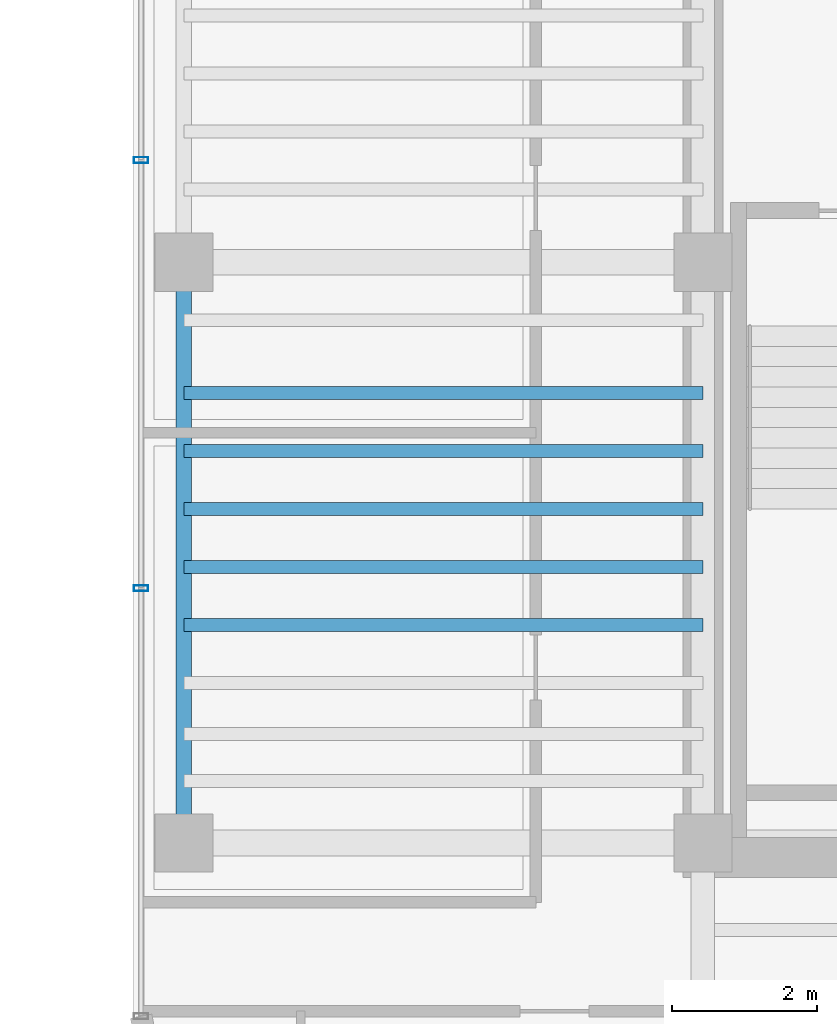
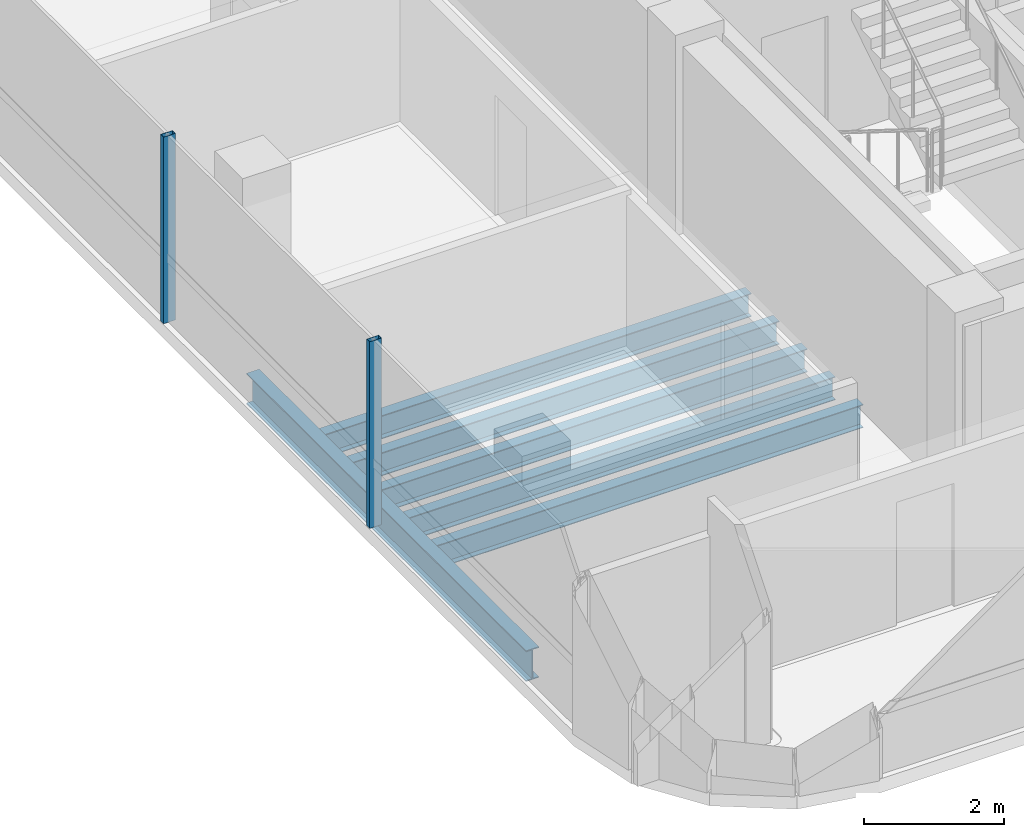
# One storey, part 4 of 21: 6 beams, 2 members, 1 element without a shape of its own.
"""IFC4 building model written with IfcOpenShell, lengths in metres."""

from ifc_helpers import new_model, si_unit, direction, frame, origin, origin_2d, place, context, subcontext, project, spatial, hollow_rectangle, i_section, extrude, source, transform, mapped, material, material_profile, profile_set, type_object, element, aggregate, save


model = new_model("IFC4")

# Units and contexts
model_context = context("Model", 3, precision=1e-05, world=origin(), true_north=direction((0.0, 1.0)))
body_context = subcontext(model_context, "Body", "Model", "MODEL_VIEW")
ifc_project = project(units=[si_unit("LENGTHUNIT", "METRE"), si_unit("AREAUNIT", "SQUARE_METRE"), si_unit("VOLUMEUNIT", "CUBIC_METRE"), si_unit("PLANEANGLEUNIT", "RADIAN"), si_unit("MASSUNIT", "GRAM", prefix="KILO")], contexts=[model_context])

# Site, building, storey
site_placement = place(None, origin())
site = spatial("IfcSite", under=ifc_project, at=site_placement, CompositionType="ELEMENT")
building_placement = place(site_placement, origin())
building = spatial("IfcBuilding", under=site, at=building_placement, Name="Valdorenza Pilgrim Sanctuary Tower", CompositionType="ELEMENT")
storey_placement = place(building_placement, frame((0.0, 0.0, 258.0)))
storey = spatial("IfcBuildingStorey", under=building, at=storey_placement, Name="L67", CompositionType="ELEMENT", Elevation=258.0)

# Beams
ifc_material_1 = material(Name="Steel ASTM A992 Grade 50", Category="steel")
ifc_material_profile_1 = material_profile(ifc_material_1, i_section(OverallWidth=0.2109375, OverallDepth=0.5390625, WebThickness=0.01171875, FlangeThickness=0.018798828125, at=origin_2d()), Name="W21X73")
ifc_profile_set_1 = profile_set([ifc_material_profile_1], Name="Steel ASTM A992 Grade 50")
beam_type_1 = type_object("IfcBeamType", Name="STR-BM-SPN-W21B", PredefinedType="SPANDREL", material=ifc_profile_set_1)
shared_shape_1 = source(origin(), body_context, "Body", "SweptSolid", [
    extrude(i_section(OverallWidth=0.2109375, OverallDepth=0.5390625, WebThickness=0.01171875, FlangeThickness=0.018798828125, at=origin_2d()), origin(), (0.0, 0.0, 1.0), 8.0),
])
beam_placement = place(storey_placement, frame((-29.800048828125, -10.60009765625, -0.509521484375), z_axis=(0.0, 1.0, 0.0), x_axis=(-1.0, 0.0, 0.0)))
element("IfcBeam", 1, at=beam_placement, inside=storey, type_object=beam_type_1, Name="L67 Spandrel Beam WA-W-S1M0", PredefinedType="SPANDREL", context=body_context, shape_type="MappedRepresentation", body=[
    mapped(shared_shape_1, transform((0.0, 0.0, 0.0), x_axis=(1.0, 0.0, 0.0), y_axis=(0.0, 1.0, 0.0), z_axis=(0.0, 0.0, 1.0), scale=1.0)),
])
ifc_material_profile_2 = material_profile(ifc_material_1, i_section(OverallWidth=0.177978515625, OverallDepth=0.406005859375, WebThickness=0.0078125, FlangeThickness=0.0126953125, at=origin_2d()), Name="W16X40")
ifc_profile_set_2 = profile_set([ifc_material_profile_2], Name="Steel ASTM A992 Grade 50")
beam_type_2 = type_object("IfcBeamType", Name="STR-BM-JST-W16", PredefinedType="JOIST", material=ifc_profile_set_2)
shared_shape_2 = source(origin(), body_context, "Body", "SweptSolid", [
    extrude(i_section(OverallWidth=0.177978515625, OverallDepth=0.406005859375, WebThickness=0.0078125, FlangeThickness=0.0126953125, at=origin_2d()), origin(), (0.0, 0.0, 1.0), 7.150146484375),
])
for number, where, z_axis, x_axis, name in (
    (2, (-29.800048828125, -7.60009765625, -0.443115234375), (1.0, 0.0, 0.0), (0.0, 1.0, 0.0), "L67 Composite Floor Joist JST-WA-4"),
    (3, (-29.800048828125, -6.800048828125, -0.443115234375), (1.0, 0.0, 0.0), (0.0, 1.0, 0.0), "L67 Composite Floor Joist JST-WA-5"),
    (4, (-29.800048828125, -6.0, -0.443115234375), (1.0, 0.0, 0.0), (0.0, 1.0, 0.0), "L67 Composite Floor Joist JST-WA-6"),
    (5, (-29.800048828125, -5.199951171875, -0.443115234375), (1.0, 0.0, 0.0), (0.0, 1.0, 0.0), "L67 Composite Floor Joist JST-WA-7"),
    (6, (-29.800048828125, -4.39990234375, -0.443115234375), (1.0, 0.0, 0.0), (0.0, 1.0, 0.0), "L67 Composite Floor Joist JST-WA-8"),
):
    element("IfcBeam", number, at=place(storey_placement, frame(where, z_axis=z_axis, x_axis=x_axis)), inside=storey, type_object=beam_type_2, Name=name, PredefinedType="JOIST", context=body_context, shape_type="MappedRepresentation", body=[
        mapped(shared_shape_2, transform((0.0, 0.0, 0.0), x_axis=(1.0, 0.0, 0.0), y_axis=(0.0, 1.0, 0.0), z_axis=(0.0, 0.0, 1.0), scale=1.0)),
    ])

# Curtain wall, members
ifc_material_2 = material(Name="Curtain-wall IGU glazing", Category="glass")
curtain_wall_type = type_object("IfcCurtainWallType", Name="CW-SYS-02", PredefinedType="NOTDEFINED", material=ifc_material_2)
curtain_wall_placement = place(storey_placement, origin())
curtain_wall = element("IfcCurtainWall", 7, at=curtain_wall_placement, inside=storey, type_object=curtain_wall_type, Name="L67 Curtain Wall CW-L67-1-1S1", PredefinedType="NOTDEFINED")
ifc_material_3 = material(Name="Anodised aluminium AW-6060", Category="aluminium")
ifc_material_profile_3 = material_profile(ifc_material_3, hollow_rectangle(XDim=0.0849609375, YDim=0.199951171875, WallThickness=0.0048828125, at=origin_2d()), Name="ALU-M 200x85x5")
ifc_profile_set_3 = profile_set([ifc_material_profile_3], Name="Anodised aluminium AW-6060")
member_type = type_object("IfcMemberType", Name="CW-MUL-02", PredefinedType="MULLION", material=ifc_profile_set_3)
shared_shape_3 = source(origin(), body_context, "Body", "SweptSolid", [
    extrude(hollow_rectangle(XDim=0.0849609375, YDim=0.199951171875, WallThickness=0.0048828125, at=origin_2d()), origin(), (0.0, 0.0, 1.0), 3.260009765625),
])
member_1_placement = place(storey_placement, frame((-30.389892578125, -7.091796875, 0.0), z_axis=(0.0, 0.0, 1.0), x_axis=(0.0, 1.0, 0.0)))
member_1 = element("IfcMember", 8, at=member_1_placement, type_object=member_type, Name="CW-L67-1-1S1 Mullion 2", PredefinedType="MULLION", context=body_context, shape_type="MappedRepresentation", body=[
    mapped(shared_shape_3, transform((0.0, 0.0, 0.0), x_axis=(1.0, 0.0, 0.0), y_axis=(0.0, 1.0, 0.0), z_axis=(0.0, 0.0, 1.0), scale=1.0)),
])
member_2_placement = place(storey_placement, frame((-30.389892578125, -1.194580078125, 0.0), z_axis=(0.0, 0.0, 1.0), x_axis=(0.0, 1.0, 0.0)))
member_2 = element("IfcMember", 9, at=member_2_placement, type_object=member_type, Name="CW-L67-1-1S1 Mullion 3", PredefinedType="MULLION", context=body_context, shape_type="MappedRepresentation", body=[
    mapped(shared_shape_3, transform((0.0, 0.0, 0.0), x_axis=(1.0, 0.0, 0.0), y_axis=(0.0, 1.0, 0.0), z_axis=(0.0, 0.0, 1.0), scale=1.0)),
])
aggregate(curtain_wall, [member_1, member_2])

save(model, "model.ifc")
